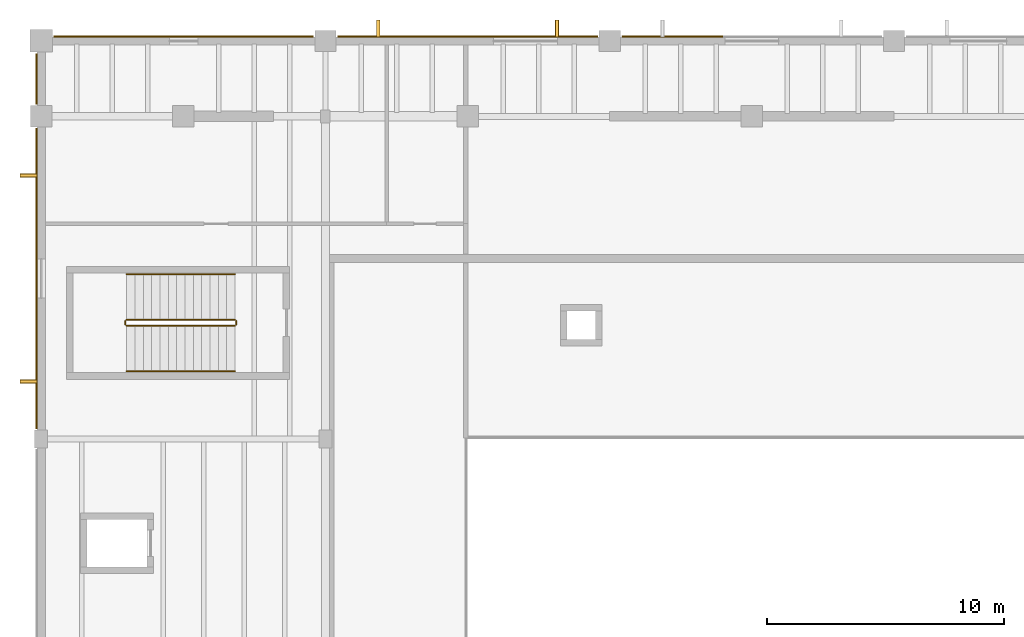
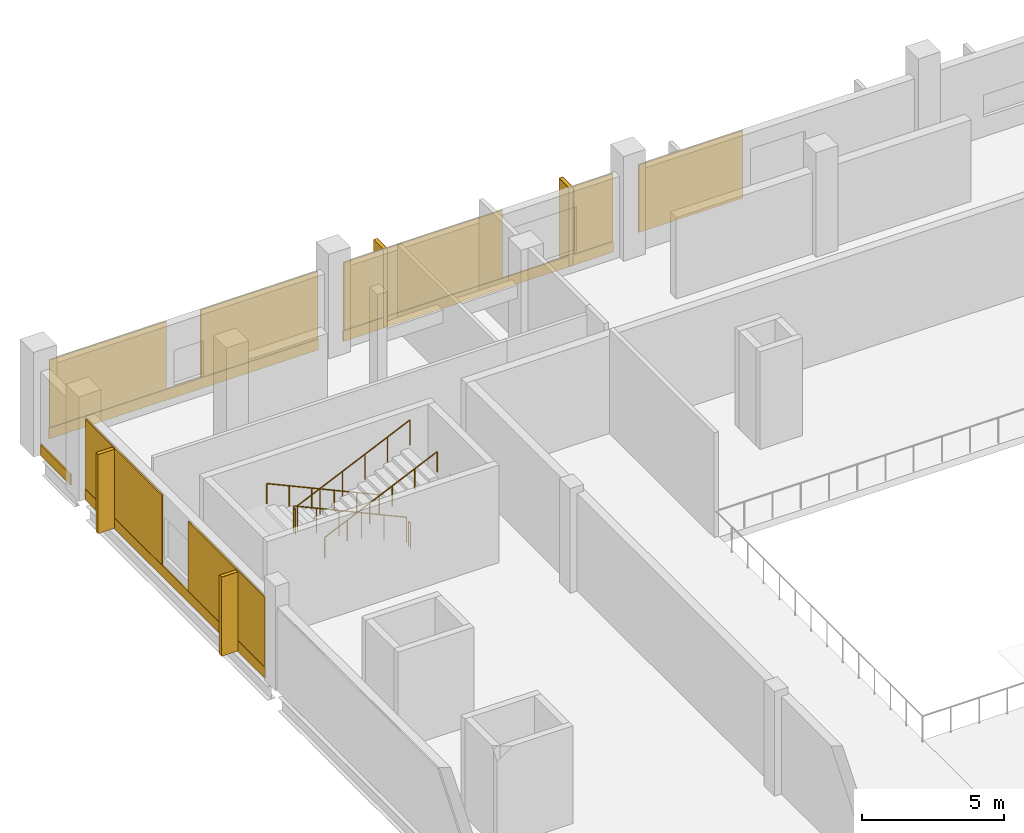
# One storey, part 107 of 114: 15 coverings, 6 railings, 4 shading devices.
"""IFC4 building model written with IfcOpenShell, lengths in metres."""

from ifc_helpers import new_model, si_unit, direction, frame, origin, origin_2d, place, context, subcontext, project, spatial, rectangle, circle, extrude, material, layer, layer_set, type_object, element, save


model = new_model("IFC4")

# Units and contexts
model_context = context("Model", 3, precision=1e-05, world=origin(), true_north=direction((0.0, 1.0)))
body_context = subcontext(model_context, "Body", "Model", "MODEL_VIEW")
ifc_project = project(units=[si_unit("LENGTHUNIT", "METRE"), si_unit("AREAUNIT", "SQUARE_METRE"), si_unit("VOLUMEUNIT", "CUBIC_METRE"), si_unit("PLANEANGLEUNIT", "RADIAN"), si_unit("MASSUNIT", "GRAM", prefix="KILO")], contexts=[model_context])

# Site, building, storey
site_placement = place(None, origin())
site = spatial("IfcSite", under=ifc_project, at=site_placement, CompositionType="ELEMENT")
building_placement = place(site_placement, origin())
building = spatial("IfcBuilding", under=site, at=building_placement, Name="Kelmvaro Bay Concert Hall", CompositionType="ELEMENT")
storey_placement = place(building_placement, frame((0.0, 0.0, 4.800048828125)))
storey = spatial("IfcBuildingStorey", under=building, at=storey_placement, Name="L01", CompositionType="ELEMENT", Elevation=4.800048828125)

# Shading devices
ifc_material_1 = material(Name="Anodised Extruded Aluminium 6063-T6", Category="aluminium")
ifc_layer_1 = layer(ifc_material_1, 3.39990234375)
ifc_layer_set_1 = layer_set([ifc_layer_1], Name="Anodised Extruded Aluminium 6063-T6")
shading_device_type = type_object("IfcShadingDeviceType", Name="Bauhaus Vertical Solar Brise-Soleil Fin 720x3400", PredefinedType="SHUTTER", material=ifc_layer_set_1)
for number, where, z_axis, x_axis, name in (
    (1, (14.22607421875, 114.52587890625, 0.0595703125), (0.0, 0.0, 1.0), (1.0, 0.0, 0.0), "L01 Solar Brise-Soleil Fin 001"),
    (2, (21.77392578125, 114.52587890625, 0.0595703125), (0.0, 0.0, 1.0), (1.0, 0.0, 0.0), "L01 Solar Brise-Soleil Fin 002"),
):
    element("IfcShadingDevice", number, at=place(storey_placement, frame(where, z_axis=z_axis, x_axis=x_axis)), inside=storey, type_object=shading_device_type, Name=name, PredefinedType="SHUTTER", context=body_context, shape_type="SweptSolid", body=[
        extrude(rectangle(XDim=0.159912109375, YDim=0.719970703125, at=origin_2d()), origin(), (0.0, 0.0, 1.0), 3.366943359375),
    ])
for number, where, z_axis, x_axis, name in (
    (3, (-0.535888671875, 99.622314453125, 0.06005859375), (0.0, 0.0, 1.0), (0.0, 1.0, 0.0), "L01 Solar Brise-Soleil Fin 009"),
    (4, (-0.535888671875, 108.32275390625, 0.06005859375), (0.0, 0.0, 1.0), (0.0, 1.0, 0.0), "L01 Solar Brise-Soleil Fin 010"),
):
    element("IfcShadingDevice", number, at=place(storey_placement, frame(where, z_axis=z_axis, x_axis=x_axis)), inside=storey, type_object=shading_device_type, Name=name, PredefinedType="SHUTTER", context=body_context, shape_type="SweptSolid", body=[
        extrude(rectangle(XDim=0.159912109375, YDim=0.719970703125, at=origin_2d()), origin(), (0.0, 0.0, 1.0), 3.39990234375),
    ])

# Coverings
ifc_material_2 = material(Name="PVDF-Coated Architectural Aluminium", Category="aluminium")
ifc_layer_2 = layer(ifc_material_2, 0.0400390625)
ifc_layer_set_2 = layer_set([ifc_layer_2], Name="PVDF-Coated Architectural Aluminium")
covering_type_1 = type_object("IfcCoveringType", Name="De Stijl Enamelled Aluminium Fascia Panel 40", PredefinedType="CLADDING", material=ifc_layer_set_2)
for number, where, z_axis, x_axis, name in (
    (5, (14.22607421875, 114.52587890625, 0.0595703125), (0.0, 0.0, 1.0), (1.0, 0.0, 0.0), "L01 Architectural Vertical Fin Cladding 0023"),
    (6, (21.77392578125, 114.52587890625, 0.0595703125), (0.0, 0.0, 1.0), (1.0, 0.0, 0.0), "L01 Architectural Vertical Fin Cladding 0024"),
):
    element("IfcCovering", number, at=place(storey_placement, frame(where, z_axis=z_axis, x_axis=x_axis)), inside=storey, type_object=covering_type_1, Name=name, PredefinedType="CLADDING", context=body_context, shape_type="SweptSolid", body=[
        extrude(rectangle(XDim=0.139892578125, YDim=0.699951171875, at=origin_2d()), origin(), (0.0, 0.0, 1.0), 3.366943359375),
    ])
for number, where, z_axis, x_axis, name in (
    (7, (-0.535888671875, 99.622314453125, 0.06005859375), (0.0, 0.0, 1.0), (0.0, 1.0, 0.0), "L01 Architectural Vertical Fin Cladding 0048"),
    (8, (-0.535888671875, 108.32275390625, 0.06005859375), (0.0, 0.0, 1.0), (0.0, 1.0, 0.0), "L01 Architectural Vertical Fin Cladding 0049"),
):
    element("IfcCovering", number, at=place(storey_placement, frame(where, z_axis=z_axis, x_axis=x_axis)), inside=storey, type_object=covering_type_1, Name=name, PredefinedType="CLADDING", context=body_context, shape_type="SweptSolid", body=[
        extrude(rectangle(XDim=0.139892578125, YDim=0.699951171875, at=origin_2d()), origin(), (0.0, 0.0, 1.0), 3.39990234375),
    ])
ifc_material_3 = material(Name="Honed Florida Limestone Travertine", Category="masonry")
ifc_layer_3 = layer(ifc_material_3, 0.054931640625)
ifc_layer_set_3 = layer_set([ifc_layer_3], Name="Honed Florida Limestone Travertine")
covering_type_2 = type_object("IfcCoveringType", Name="Honed Florida Travertine Rainscreen Cladding 55", PredefinedType="CLADDING", material=ifc_layer_set_3)
covering_1_placement = place(storey_placement, frame((6.012451171875, 114.195556640625, 0.0400390625), z_axis=(0.0, 0.0, 1.0), x_axis=(1.0, 0.0, 0.0)))
element("IfcCovering", 9, at=covering_1_placement, inside=storey, type_object=covering_type_2, Name="L01 Travertine Sill Band 0019", PredefinedType="CLADDING", context=body_context, shape_type="SweptSolid", body=[
    extrude(rectangle(XDim=10.955078125, YDim=0.054931640625, at=origin_2d()), origin(), (0.0, 0.0, 1.0), 0.4599609375),
])
covering_2_placement = place(storey_placement, frame((2.933837890625, 114.195556640625, 0.52001953125), z_axis=(0.0, 0.0, 1.0), x_axis=(1.0, 0.0, 0.0)))
element("IfcCovering", 10, at=covering_2_placement, inside=storey, type_object=covering_type_2, Name="L01 Travertine Pier Panel 0020", PredefinedType="CLADDING", context=body_context, shape_type="SweptSolid", body=[
    extrude(rectangle(XDim=4.758056640625, YDim=0.054931640625, at=origin_2d()), origin(), (0.0, 0.0, 1.0), 2.906982421875),
])
covering_3_placement = place(storey_placement, frame((9.09130859375, 114.195556640625, 0.52001953125), z_axis=(0.0, 0.0, 1.0), x_axis=(1.0, 0.0, 0.0)))
element("IfcCovering", 11, at=covering_3_placement, inside=storey, type_object=covering_type_2, Name="L01 Travertine Pier Panel 0021", PredefinedType="CLADDING", context=body_context, shape_type="SweptSolid", body=[
    extrude(rectangle(XDim=4.757080078125, YDim=0.054931640625, at=origin_2d()), origin(), (0.0, 0.0, 1.0), 2.906982421875),
])
covering_4_placement = place(storey_placement, frame((18.0, 114.195556640625, 0.0400390625), z_axis=(0.0, 0.0, 1.0), x_axis=(1.0, 0.0, 0.0)))
element("IfcCovering", 12, at=covering_4_placement, inside=storey, type_object=covering_type_2, Name="L01 Travertine Sill Band 0022", PredefinedType="CLADDING", context=body_context, shape_type="SweptSolid", body=[
    extrude(rectangle(XDim=10.97998046875, YDim=0.054931640625, at=origin_2d()), origin(), (0.0, 0.0, 1.0), 0.4599609375),
])
covering_5_placement = place(storey_placement, frame((15.760986328125, 114.195556640625, 0.52001953125), z_axis=(0.0, 0.0, 1.0), x_axis=(1.0, 0.0, 0.0)))
element("IfcCovering", 13, at=covering_5_placement, inside=storey, type_object=covering_type_2, Name="L01 Travertine Pier Panel 0025", PredefinedType="CLADDING", context=body_context, shape_type="SweptSolid", body=[
    extrude(rectangle(XDim=6.4619140625, YDim=0.054931640625, at=origin_2d()), origin(), (0.0, 0.0, 1.0), 2.906982421875),
])
covering_6_placement = place(storey_placement, frame((22.680908203125, 114.195556640625, 0.52001953125), z_axis=(0.0, 0.0, 1.0), x_axis=(1.0, 0.0, 0.0)))
element("IfcCovering", 14, at=covering_6_placement, inside=storey, type_object=covering_type_2, Name="L01 Travertine Pier Panel 0026", PredefinedType="CLADDING", context=body_context, shape_type="SweptSolid", body=[
    extrude(rectangle(XDim=1.577880859375, YDim=0.054931640625, at=origin_2d()), origin(), (0.0, 0.0, 1.0), 2.906982421875),
])
covering_7_placement = place(storey_placement, frame((26.652587890625, 114.195556640625, 0.52001953125), z_axis=(0.0, 0.0, 1.0), x_axis=(1.0, 0.0, 0.0)))
element("IfcCovering", 15, at=covering_7_placement, inside=storey, type_object=covering_type_2, Name="L01 Travertine Pier Panel 0030", PredefinedType="CLADDING", context=body_context, shape_type="SweptSolid", body=[
    extrude(rectangle(XDim=4.2451171875, YDim=0.054931640625, at=origin_2d()), origin(), (0.0, 0.0, 1.0), 2.906982421875),
])
covering_8_placement = place(storey_placement, frame((-0.20556640625, 103.972412109375, 0.0400390625), z_axis=(0.0, 0.0, 1.0), x_axis=(0.0, 1.0, 0.0)))
element("IfcCovering", 16, at=covering_8_placement, inside=storey, type_object=covering_type_2, Name="L01 Travertine Sill Band 0047", PredefinedType="CLADDING", context=body_context, shape_type="SweptSolid", body=[
    extrude(rectangle(XDim=12.675048828125, YDim=0.054931640625, at=origin_2d()), origin(), (0.0, 0.0, 1.0), 0.4599609375),
])
for number, where, z_axis, x_axis, name in (
    (17, (-0.20556640625, 100.351318359375, 0.52001953125), (0.0, 0.0, 1.0), (0.0, 1.0, 0.0), "L01 Travertine Pier Panel 0050"),
    (18, (-0.20556640625, 107.59375, 0.52001953125), (0.0, 0.0, 1.0), (0.0, 1.0, 0.0), "L01 Travertine Pier Panel 0051"),
):
    element("IfcCovering", number, at=place(storey_placement, frame(where, z_axis=z_axis, x_axis=x_axis)), inside=storey, type_object=covering_type_2, Name=name, PredefinedType="CLADDING", context=body_context, shape_type="SweptSolid", body=[
        extrude(rectangle(XDim=5.39306640625, YDim=0.054931640625, at=origin_2d()), origin(), (0.0, 0.0, 1.0), 2.989013671875),
    ])
covering_9_placement = place(storey_placement, frame((-0.20556640625, 112.3974609375, 0.0400390625), z_axis=(0.0, 0.0, 1.0), x_axis=(0.0, 1.0, 0.0)))
element("IfcCovering", 19, at=covering_9_placement, inside=storey, type_object=covering_type_2, Name="L01 Travertine Sill Band 0052", PredefinedType="CLADDING", context=body_context, shape_type="SweptSolid", body=[
    extrude(rectangle(XDim=2.135009765625, YDim=0.054931640625, at=origin_2d()), origin(), (0.0, 0.0, 1.0), 0.4599609375),
])

# Railings
ifc_material_4 = material(Name="Brushed Stainless Steel 316", Category="steel")
railing_type_1 = type_object("IfcRailingType", Name="Stair Stainless Wall Handrail 900", PredefinedType="HANDRAIL", material=ifc_material_4)
railing_1_placement = place(storey_placement, frame((8.179931640625, 104.14990234375, 0.16064453125)))
element("IfcRailing", 20, at=railing_1_placement, inside=storey, type_object=railing_type_1, Name="L01 ST-03 stair handrail 1", PredefinedType="HANDRAIL", context=body_context, shape_type="SweptSolid", body=[
    extrude(circle(Radius=0.02392578125, at=origin_2d()), frame((0.0, 0.0, 0.8759765625), z_axis=(-0.909662093554, 0.0, 0.415349100818), x_axis=(0.0, -1.0, 0.0)), (0.0, 0.0, 1.0), 5.0302734375),
    extrude(circle(Radius=0.02099609375, at=origin_2d()), origin(), (0.0, 0.0, 1.0), 0.851806640625),
    extrude(circle(Radius=0.02099609375, at=origin_2d()), frame((-0.915283203125, 0.0, 0.41796875)), (0.0, 0.0, 1.0), 0.851806640625),
    extrude(circle(Radius=0.02099609375, at=origin_2d()), frame((-1.830322265625, 0.0, 0.835693359375)), (0.0, 0.0, 1.0), 0.851806640625),
    extrude(circle(Radius=0.02099609375, at=origin_2d()), frame((-2.74560546875, 0.0, 1.253662109375)), (0.0, 0.0, 1.0), 0.851806640625),
    extrude(circle(Radius=0.02099609375, at=origin_2d()), frame((-3.66064453125, 0.0, 1.67138671875)), (0.0, 0.0, 1.0), 0.851806640625),
    extrude(circle(Radius=0.02099609375, at=origin_2d()), frame((-4.575927734375, 0.0, 2.08935546875)), (0.0, 0.0, 1.0), 0.851806640625),
])
railing_2_placement = place(storey_placement, frame((3.60400390625, 100.06005859375, 2.41064453125)))
element("IfcRailing", 21, at=railing_2_placement, inside=storey, type_object=railing_type_1, Name="L01 ST-03 stair handrail 2", PredefinedType="HANDRAIL", context=body_context, shape_type="SweptSolid", body=[
    extrude(circle(Radius=0.02392578125, at=origin_2d()), frame((0.0, 0.0, 0.8759765625), z_axis=(0.909662093554, 0.0, 0.415349100818), x_axis=(0.0, 1.0, 0.0)), (0.0, 0.0, 1.0), 5.0302734375),
    extrude(circle(Radius=0.02099609375, at=origin_2d()), origin(), (0.0, 0.0, 1.0), 0.851806640625),
    extrude(circle(Radius=0.02099609375, at=origin_2d()), frame((0.915283203125, 0.0, 0.41796875)), (0.0, 0.0, 1.0), 0.851806640625),
    extrude(circle(Radius=0.02099609375, at=origin_2d()), frame((1.830322265625, 0.0, 0.835693359375)), (0.0, 0.0, 1.0), 0.851806640625),
    extrude(circle(Radius=0.02099609375, at=origin_2d()), frame((2.74560546875, 0.0, 1.253662109375)), (0.0, 0.0, 1.0), 0.851806640625),
    extrude(circle(Radius=0.02099609375, at=origin_2d()), frame((3.66064453125, 0.0, 1.67138671875)), (0.0, 0.0, 1.0), 0.851806640625),
    extrude(circle(Radius=0.02099609375, at=origin_2d()), frame((4.575927734375, 0.0, 2.08935546875)), (0.0, 0.0, 1.0), 0.851806640625),
])
ifc_material_5 = material(Name="Powder-Coated Steel ASTM A500", Category="steel")
railing_type_2 = type_object("IfcRailingType", Name="Stair Well Painted Steel Guard 1100", PredefinedType="BALUSTRADE", material=ifc_material_5)
railing_3_placement = place(storey_placement, frame((8.179931640625, 102.22998046875, 0.16064453125)))
element("IfcRailing", 22, at=railing_3_placement, inside=storey, type_object=railing_type_2, Name="L01 ST-03 stair guard 1", PredefinedType="BALUSTRADE", context=body_context, shape_type="SweptSolid", body=[
    extrude(circle(Radius=0.02392578125, at=origin_2d()), frame((0.0, 0.0, 1.076171875), z_axis=(-0.909662093554, 0.0, 0.415349100818), x_axis=(0.0, -1.0, 0.0)), (0.0, 0.0, 1.0), 5.0302734375),
    extrude(circle(Radius=0.02099609375, at=origin_2d()), origin(), (0.0, 0.0, 1.0), 1.052001953125),
    extrude(circle(Radius=0.02099609375, at=origin_2d()), frame((-0.915283203125, 0.0, 0.41796875)), (0.0, 0.0, 1.0), 1.052001953125),
    extrude(circle(Radius=0.02099609375, at=origin_2d()), frame((-1.830322265625, 0.0, 0.835693359375)), (0.0, 0.0, 1.0), 1.052001953125),
    extrude(circle(Radius=0.02099609375, at=origin_2d()), frame((-2.74560546875, 0.0, 1.253662109375)), (0.0, 0.0, 1.0), 1.052001953125),
    extrude(circle(Radius=0.02099609375, at=origin_2d()), frame((-3.66064453125, 0.0, 1.67138671875)), (0.0, 0.0, 1.0), 1.052001953125),
    extrude(circle(Radius=0.02099609375, at=origin_2d()), frame((-4.575927734375, 0.0, 2.08935546875)), (0.0, 0.0, 1.0), 1.052001953125),
])
railing_4_placement = place(storey_placement, frame((3.553955078125, 102.179931640625, 2.25)))
element("IfcRailing", 23, at=railing_4_placement, inside=storey, type_object=railing_type_2, Name="L01 ST-03 stair guard 2", PredefinedType="BALUSTRADE", context=body_context, shape_type="SweptSolid", body=[
    extrude(circle(Radius=0.02392578125, at=origin_2d()), frame((0.0, 0.0, 1.076171875), z_axis=(0.0, -1.0, 0.0), x_axis=(1.0, 0.0, 0.0)), (0.0, 0.0, 1.0), 0.14990234375),
    extrude(circle(Radius=0.02099609375, at=origin_2d()), origin(), (0.0, 0.0, 1.0), 1.052001953125),
    extrude(circle(Radius=0.02099609375, at=origin_2d()), frame((0.0, -0.14990234375, 0.0)), (0.0, 0.0, 1.0), 1.052001953125),
])
railing_5_placement = place(storey_placement, frame((3.60400390625, 101.97998046875, 2.41064453125)))
element("IfcRailing", 24, at=railing_5_placement, inside=storey, type_object=railing_type_2, Name="L01 ST-03 stair guard 3", PredefinedType="BALUSTRADE", context=body_context, shape_type="SweptSolid", body=[
    extrude(circle(Radius=0.02392578125, at=origin_2d()), frame((0.0, 0.0, 1.076171875), z_axis=(0.909662093554, 0.0, 0.415349100818), x_axis=(0.0, 1.0, 0.0)), (0.0, 0.0, 1.0), 5.0302734375),
    extrude(circle(Radius=0.02099609375, at=origin_2d()), origin(), (0.0, 0.0, 1.0), 1.052001953125),
    extrude(circle(Radius=0.02099609375, at=origin_2d()), frame((0.915283203125, 0.0, 0.41796875)), (0.0, 0.0, 1.0), 1.052001953125),
    extrude(circle(Radius=0.02099609375, at=origin_2d()), frame((1.830322265625, 0.0, 0.835693359375)), (0.0, 0.0, 1.0), 1.052001953125),
    extrude(circle(Radius=0.02099609375, at=origin_2d()), frame((2.74560546875, 0.0, 1.253662109375)), (0.0, 0.0, 1.0), 1.052001953125),
    extrude(circle(Radius=0.02099609375, at=origin_2d()), frame((3.66064453125, 0.0, 1.67138671875)), (0.0, 0.0, 1.0), 1.052001953125),
    extrude(circle(Radius=0.02099609375, at=origin_2d()), frame((4.575927734375, 0.0, 2.08935546875)), (0.0, 0.0, 1.0), 1.052001953125),
])
railing_6_placement = place(storey_placement, frame((8.22998046875, 102.179931640625, 0.0)))
element("IfcRailing", 25, at=railing_6_placement, inside=storey, type_object=railing_type_2, Name="L01 ST-03 stair guard 4", PredefinedType="BALUSTRADE", context=body_context, shape_type="SweptSolid", body=[
    extrude(circle(Radius=0.02392578125, at=origin_2d()), frame((0.0, 0.0, 1.076171875), z_axis=(0.0, -1.0, 0.0), x_axis=(1.0, 0.0, 0.0)), (0.0, 0.0, 1.0), 0.14990234375),
    extrude(circle(Radius=0.02099609375, at=origin_2d()), origin(), (0.0, 0.0, 1.0), 1.052001953125),
    extrude(circle(Radius=0.02099609375, at=origin_2d()), frame((0.0, -0.14990234375, 0.0)), (0.0, 0.0, 1.0), 1.052001953125),
])

save(model, "model.ifc")
